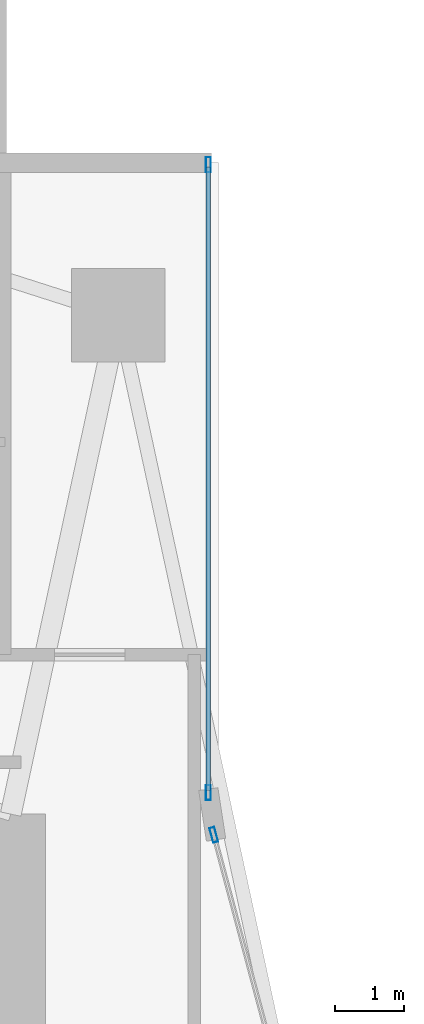
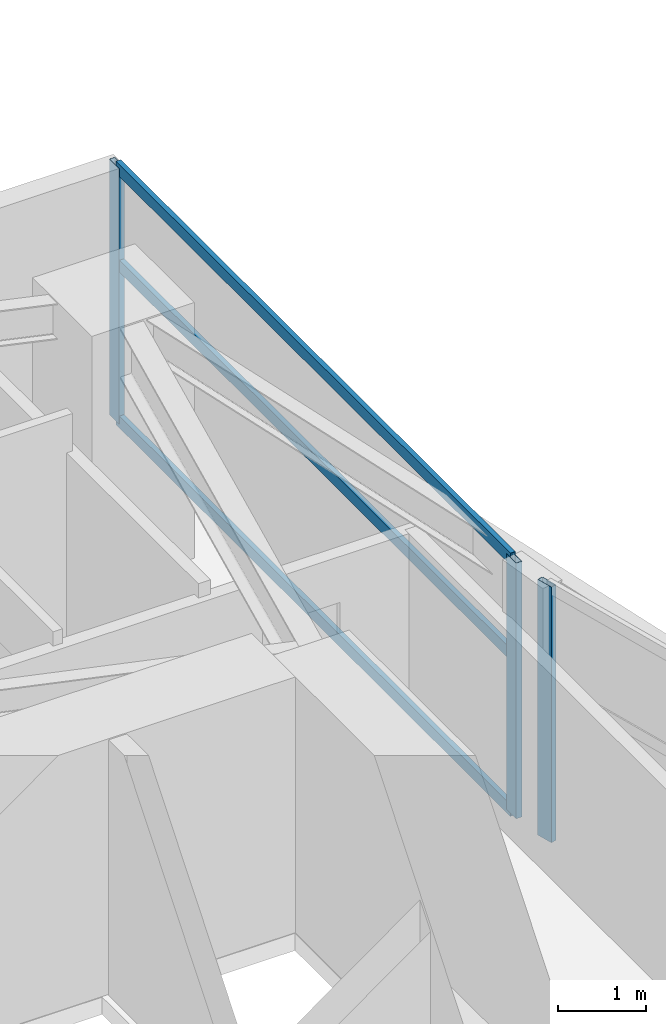
# One storey, part 18 of 30: 6 members, 2 elements without a shape of their own.
"""IFC4 building model written with IfcOpenShell, lengths in metres."""

from ifc_helpers import new_model, si_unit, direction, frame, origin, origin_2d, place, context, subcontext, project, spatial, hollow_rectangle, extrude, material, layer, layer_set, material_profile, profile_set, type_object, element, aggregate, save


model = new_model("IFC4")

# Units and contexts
model_context = context("Model", 3, precision=1e-05, world=origin(), true_north=direction((0.0, 1.0)))
body_context = subcontext(model_context, "Body", "Model", "MODEL_VIEW")
ifc_project = project(units=[si_unit("LENGTHUNIT", "METRE"), si_unit("AREAUNIT", "SQUARE_METRE"), si_unit("VOLUMEUNIT", "CUBIC_METRE"), si_unit("PLANEANGLEUNIT", "RADIAN"), si_unit("MASSUNIT", "GRAM", prefix="KILO")], contexts=[model_context])

# Site, building, storey
site_placement = place(None, origin())
site = spatial("IfcSite", under=ifc_project, at=site_placement, CompositionType="ELEMENT")
building_placement = place(site_placement, origin())
building = spatial("IfcBuilding", under=site, at=building_placement, Name="Calvorn Quay Hotel", CompositionType="ELEMENT")
storey_placement = place(building_placement, frame((0.0, 0.0, 50.800048828125)))
storey = spatial("IfcBuildingStorey", under=building, at=storey_placement, Name="L11", CompositionType="ELEMENT", Elevation=50.800048828125)

# Curtain wall, member
ifc_material_1 = material(Name="Pale Anodised Aluminium and Low-E Glass", Category="aluminium")
ifc_layer = layer(ifc_material_1, 0.219970703125)
ifc_layer_set = layer_set([ifc_layer], Name="CW-SYS-Z1")
curtain_wall_type = type_object("IfcCurtainWallType", Name="CW-SYS-Z1", PredefinedType="NOTDEFINED", material=ifc_layer_set)
curtain_wall_1_placement = place(storey_placement, origin())
curtain_wall_1 = element("IfcCurtainWall", 1, at=curtain_wall_1_placement, inside=storey, type_object=curtain_wall_type, Name="Inner Court Curtain Wall L11-IC1", PredefinedType="NOTDEFINED")
ifc_material_2 = material(Name="Pale Anodised Aluminium 6063-T6", Category="aluminium")
ifc_material_profile_1 = material_profile(ifc_material_2, hollow_rectangle(XDim=0.074951171875, YDim=0.219970703125, WallThickness=0.00439453125, at=origin_2d()), Name="ALU-M220x75x4.5")
ifc_profile_set_1 = profile_set([ifc_material_profile_1], Name="Pale Anodised Aluminium 6063-T6")
member_type_1 = type_object("IfcMemberType", Name="CW-SYS-Z1-MUL", PredefinedType="MULLION", material=ifc_profile_set_1)
member_1_placement = place(storey_placement, frame((17.9296875, 38.10107421875, 0.0), z_axis=(0.0, 0.0, 1.0), x_axis=(-0.96593652056, -0.25877913024, 0.0)))
member_1 = element("IfcMember", 2, at=member_1_placement, type_object=member_type_1, Name="CW-L11-IC1 mullion 2", PredefinedType="MULLION", context=body_context, shape_type="SweptSolid", body=[
    extrude(hollow_rectangle(XDim=0.074951171875, YDim=0.219970703125, WallThickness=0.00439453125, at=origin_2d()), origin(), (0.0, 0.0, 1.0), 3.56005859375),
])
aggregate(curtain_wall_1, [member_1])

# Curtain wall, members
curtain_wall_2_placement = place(storey_placement, origin())
curtain_wall_2 = element("IfcCurtainWall", 3, at=curtain_wall_2_placement, inside=storey, type_object=curtain_wall_type, Name="Inner Court Curtain Wall L11-IC2", PredefinedType="NOTDEFINED")
member_2_placement = place(storey_placement, frame((17.85009765625, 38.7099609375, 0.0), z_axis=(0.0, 0.0, 1.0), x_axis=(-1.0, 0.0, 0.0)))
member_2 = element("IfcMember", 4, at=member_2_placement, type_object=member_type_1, Name="CW-L11-IC2 mullion 1", PredefinedType="MULLION", context=body_context, shape_type="SweptSolid", body=[
    extrude(hollow_rectangle(XDim=0.074951171875, YDim=0.219970703125, WallThickness=0.00439453125, at=origin_2d()), origin(), (0.0, 0.0, 1.0), 3.56005859375),
])
member_3_placement = place(storey_placement, frame((17.85009765625, 47.77001953125, 0.0), z_axis=(0.0, 0.0, 1.0), x_axis=(-1.0, 0.0, 0.0)))
member_3 = element("IfcMember", 5, at=member_3_placement, type_object=member_type_1, Name="CW-L11-IC2 mullion 2", PredefinedType="MULLION", context=body_context, shape_type="SweptSolid", body=[
    extrude(hollow_rectangle(XDim=0.074951171875, YDim=0.219970703125, WallThickness=0.00439453125, at=origin_2d()), origin(), (0.0, 0.0, 1.0), 3.56005859375),
])
ifc_material_3 = material(Name="Pale Anodised Aluminium 6063-T6", Category="aluminium")
ifc_material_profile_2 = material_profile(ifc_material_3, hollow_rectangle(XDim=0.06494140625, YDim=0.1650390625, WallThickness=0.00341796875, at=origin_2d()), Name="ALU-T165x65x3.5")
ifc_profile_set_2 = profile_set([ifc_material_profile_2], Name="Pale Anodised Aluminium 6063-T6")
member_type_2 = type_object("IfcMemberType", Name="CW-SYS-Z1-TRN", PredefinedType="USERDEFINED", material=ifc_profile_set_2)
member_4_placement = place(storey_placement, frame((17.85009765625, 38.739990234375, 0.030029296875), z_axis=(0.0, 1.0, 0.0), x_axis=(-1.0, 0.0, 0.0)))
member_4 = element("IfcMember", 6, at=member_4_placement, type_object=member_type_2, Name="CW-L11-IC2 transom 1.1", ObjectType="TRANSOM", PredefinedType="USERDEFINED", context=body_context, shape_type="SweptSolid", body=[
    extrude(hollow_rectangle(XDim=0.06494140625, YDim=0.1650390625, WallThickness=0.00341796875, at=origin_2d()), origin(), (0.0, 0.0, 1.0), 9.0),
])
member_5_placement = place(storey_placement, frame((17.85009765625, 38.739990234375, 2.199951171875), z_axis=(0.0, 1.0, 0.0), x_axis=(-1.0, 0.0, 0.0)))
member_5 = element("IfcMember", 7, at=member_5_placement, type_object=member_type_2, Name="CW-L11-IC2 transom 1.2", ObjectType="TRANSOM", PredefinedType="USERDEFINED", context=body_context, shape_type="SweptSolid", body=[
    extrude(hollow_rectangle(XDim=0.06494140625, YDim=0.1650390625, WallThickness=0.00341796875, at=origin_2d()), origin(), (0.0, 0.0, 1.0), 9.0),
])
member_6_placement = place(storey_placement, frame((17.85009765625, 38.739990234375, 3.530029296875), z_axis=(0.0, 1.0, 0.0), x_axis=(-1.0, 0.0, 0.0)))
member_6 = element("IfcMember", 8, at=member_6_placement, type_object=member_type_2, Name="CW-L11-IC2 transom 1.3", ObjectType="TRANSOM", PredefinedType="USERDEFINED", context=body_context, shape_type="SweptSolid", body=[
    extrude(hollow_rectangle(XDim=0.06494140625, YDim=0.1650390625, WallThickness=0.00341796875, at=origin_2d()), origin(), (0.0, 0.0, 1.0), 9.0),
])
aggregate(curtain_wall_2, [member_2, member_3, member_4, member_5, member_6])

save(model, "model.ifc")
